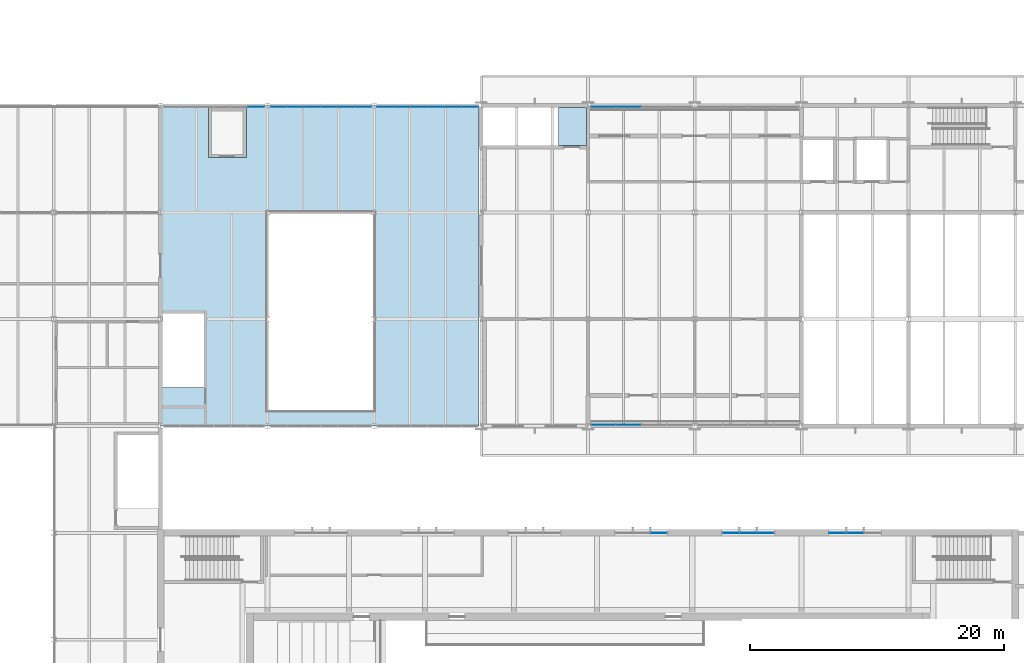
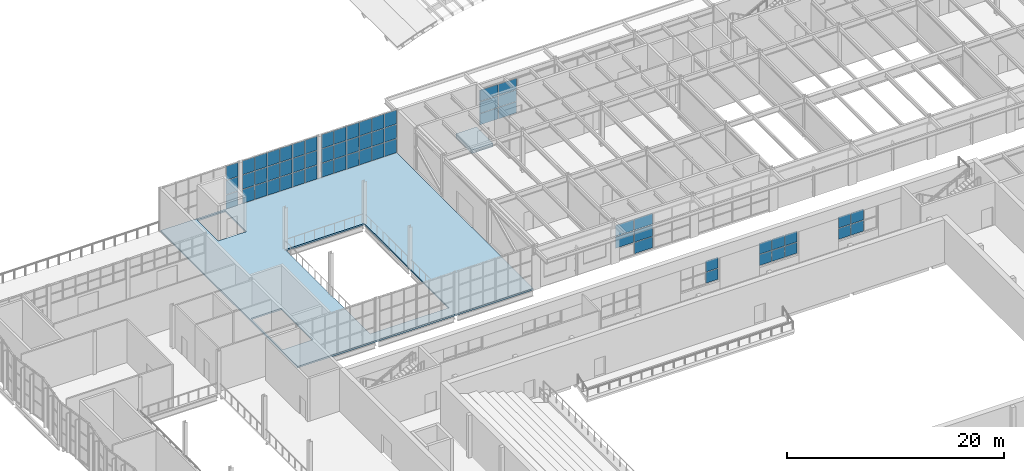
# One storey, part 63 of 116: 62 plates, 2 slabs, 8 elements without a shape of their own.
"""IFC4 building model written with IfcOpenShell, lengths in metres."""

from ifc_helpers import new_model, si_unit, direction, frame, origin, origin_2d, place, context, subcontext, project, spatial, polyline, rectangle, outline, extrude, material, layer, layer_set, type_object, element, aggregate, save


model = new_model("IFC4")

# Units and contexts
model_context = context("Model", 3, precision=1e-05, world=origin(), true_north=direction((0.0, 1.0)))
body_context = subcontext(model_context, "Body", "Model", "MODEL_VIEW")
ifc_project = project(units=[si_unit("LENGTHUNIT", "METRE"), si_unit("AREAUNIT", "SQUARE_METRE"), si_unit("VOLUMEUNIT", "CUBIC_METRE"), si_unit("PLANEANGLEUNIT", "RADIAN"), si_unit("MASSUNIT", "GRAM", prefix="KILO")], contexts=[model_context])

# Site, building, storey
site_placement = place(None, origin())
site = spatial("IfcSite", under=ifc_project, at=site_placement, CompositionType="ELEMENT")
building_placement = place(site_placement, origin())
building = spatial("IfcBuilding", under=site, at=building_placement, Name="Ljudholm Concert House", CompositionType="ELEMENT")
storey_placement = place(building_placement, frame((0.0, 0.0, 10.199951171875)))
storey = spatial("IfcBuildingStorey", under=building, at=storey_placement, Name="L02", CompositionType="ELEMENT", Elevation=10.199951171875)

# Slab
ifc_material_1 = material(Name="Concrete 5,000 psi", Category="concrete")
ifc_layer_1 = layer(ifc_material_1, 0.179931640625)
ifc_layer_set_1 = layer_set([ifc_layer_1], Name="Concrete 5,000 psi")
slab_type_1 = type_object("IfcSlabType", Name="COMPOSITE FLOOR SLAB 180", PredefinedType="FLOOR", material=ifc_layer_set_1)
slab_1_placement = place(storey_placement, frame((0.0, 0.0, -0.179931640625)))
element("IfcSlab", 1, at=slab_1_placement, inside=storey, type_object=slab_type_1, Name="Floor slab", PredefinedType="FLOOR", context=body_context, shape_type="SweptSolid", body=[
    extrude(outline(polyline([(29.199951171875, 104.800048828125), (54.25, 104.800048828125), (54.25, 130.0), (29.199951171875, 130.0), (29.199951171875, 104.800048828125)]), holes=[polyline([(46.0, 121.60009765625), (46.0, 106.0), (37.60009765625, 106.0), (37.60009765625, 121.60009765625), (46.0, 121.60009765625)]), polyline([(29.35009765625, 107.83056640625), (29.35009765625, 113.6298828125), (32.60009765625, 113.6298828125), (32.60009765625, 107.83056640625), (29.35009765625, 107.83056640625)]), polyline([(32.949951171875, 125.89990234375), (32.949951171875, 129.800048828125), (35.949951171875, 129.800048828125), (35.949951171875, 125.89990234375), (32.949951171875, 125.89990234375)])]), origin(), (0.0, 0.0, 1.0), 0.179931640625),
])

# Curtain wall, plates
ifc_material_2 = material(Name="Aluminium curtain wall with impact-rated laminated glass", Category="aluminium")
curtain_wall_type_1 = type_object("IfcCurtainWallType", Name="CURTAIN WALL 1400", PredefinedType="NOTDEFINED", material=ifc_material_2)
curtain_wall_1_placement = place(storey_placement, origin())
curtain_wall_1 = element("IfcCurtainWall", 2, at=curtain_wall_1_placement, inside=storey, type_object=curtain_wall_type_1, Name="Promenade curtain wall", PredefinedType="NOTDEFINED")
ifc_material_3 = material(Name="Impact-rated laminated glass", Category="glass")
ifc_layer_2 = layer(ifc_material_3, 0.028076171875)
ifc_layer_set_2 = layer_set([ifc_layer_2], Name="Impact-rated laminated glass")
plate_type_1 = type_object("IfcPlateType", Name="CURTAIN PANEL 28", PredefinedType="CURTAIN_PANEL", material=ifc_layer_set_2)
plate_1_placement = place(storey_placement, frame((68.364990234375, 96.39990234375, 0.9599609375), z_axis=(0.0, 0.0, 1.0), x_axis=(1.0, 0.0, 0.0)))
plate_1 = element("IfcPlate", 3, at=plate_1_placement, type_object=plate_type_1, Name="Curtain wall panel", PredefinedType="CURTAIN_PANEL", context=body_context, shape_type="SweptSolid", body=[
    extrude(rectangle(XDim=1.2900390625, YDim=0.028076171875, at=origin_2d()), origin(), (0.0, 0.0, 1.0), 1.2099609375),
])
plate_2_placement = place(storey_placement, frame((68.364990234375, 96.39990234375, 2.22998046875), z_axis=(0.0, 0.0, 1.0), x_axis=(1.0, 0.0, 0.0)))
plate_2 = element("IfcPlate", 4, at=plate_2_placement, type_object=plate_type_1, Name="Curtain wall panel", PredefinedType="CURTAIN_PANEL", context=body_context, shape_type="SweptSolid", body=[
    extrude(rectangle(XDim=1.2900390625, YDim=0.028076171875, at=origin_2d()), origin(), (0.0, 0.0, 1.0), 1.2099609375),
])
aggregate(curtain_wall_1, [plate_1, plate_2])

curtain_wall_2_placement = place(storey_placement, origin())
curtain_wall_2 = element("IfcCurtainWall", 5, at=curtain_wall_2_placement, inside=storey, type_object=curtain_wall_type_1, Name="Promenade curtain wall", PredefinedType="NOTDEFINED")
plate_3_placement = place(storey_placement, frame((74.034912109375, 96.39990234375, 0.9599609375), z_axis=(0.0, 0.0, 1.0), x_axis=(1.0, 0.0, 0.0)))
plate_3 = element("IfcPlate", 6, at=plate_3_placement, type_object=plate_type_1, Name="Curtain wall panel", PredefinedType="CURTAIN_PANEL", context=body_context, shape_type="SweptSolid", body=[
    extrude(rectangle(XDim=1.2900390625, YDim=0.028076171875, at=origin_2d()), origin(), (0.0, 0.0, 1.0), 1.2099609375),
])
plate_4_placement = place(storey_placement, frame((74.034912109375, 96.39990234375, 2.22998046875), z_axis=(0.0, 0.0, 1.0), x_axis=(1.0, 0.0, 0.0)))
plate_4 = element("IfcPlate", 7, at=plate_4_placement, type_object=plate_type_1, Name="Curtain wall panel", PredefinedType="CURTAIN_PANEL", context=body_context, shape_type="SweptSolid", body=[
    extrude(rectangle(XDim=1.2900390625, YDim=0.028076171875, at=origin_2d()), origin(), (0.0, 0.0, 1.0), 1.2099609375),
])
plate_5_placement = place(storey_placement, frame((75.39990234375, 96.39990234375, 0.9599609375), z_axis=(0.0, 0.0, 1.0), x_axis=(1.0, 0.0, 0.0)))
plate_5 = element("IfcPlate", 8, at=plate_5_placement, type_object=plate_type_1, Name="Curtain wall panel", PredefinedType="CURTAIN_PANEL", context=body_context, shape_type="SweptSolid", body=[
    extrude(rectangle(XDim=1.320068359375, YDim=0.028076171875, at=origin_2d()), origin(), (0.0, 0.0, 1.0), 1.2099609375),
])
plate_6_placement = place(storey_placement, frame((75.39990234375, 96.39990234375, 2.22998046875), z_axis=(0.0, 0.0, 1.0), x_axis=(1.0, 0.0, 0.0)))
plate_6 = element("IfcPlate", 9, at=plate_6_placement, type_object=plate_type_1, Name="Curtain wall panel", PredefinedType="CURTAIN_PANEL", context=body_context, shape_type="SweptSolid", body=[
    extrude(rectangle(XDim=1.320068359375, YDim=0.028076171875, at=origin_2d()), origin(), (0.0, 0.0, 1.0), 1.2099609375),
])
plate_7_placement = place(storey_placement, frame((76.764892578125, 96.39990234375, 0.9599609375), z_axis=(0.0, 0.0, 1.0), x_axis=(1.0, 0.0, 0.0)))
plate_7 = element("IfcPlate", 10, at=plate_7_placement, type_object=plate_type_1, Name="Curtain wall panel", PredefinedType="CURTAIN_PANEL", context=body_context, shape_type="SweptSolid", body=[
    extrude(rectangle(XDim=1.2900390625, YDim=0.028076171875, at=origin_2d()), origin(), (0.0, 0.0, 1.0), 1.2099609375),
])
plate_8_placement = place(storey_placement, frame((76.764892578125, 96.39990234375, 2.22998046875), z_axis=(0.0, 0.0, 1.0), x_axis=(1.0, 0.0, 0.0)))
plate_8 = element("IfcPlate", 11, at=plate_8_placement, type_object=plate_type_1, Name="Curtain wall panel", PredefinedType="CURTAIN_PANEL", context=body_context, shape_type="SweptSolid", body=[
    extrude(rectangle(XDim=1.2900390625, YDim=0.028076171875, at=origin_2d()), origin(), (0.0, 0.0, 1.0), 1.2099609375),
])
aggregate(curtain_wall_2, [plate_3, plate_4, plate_5, plate_6, plate_7, plate_8])

curtain_wall_3_placement = place(storey_placement, origin())
curtain_wall_3 = element("IfcCurtainWall", 12, at=curtain_wall_3_placement, inside=storey, type_object=curtain_wall_type_1, Name="Promenade curtain wall", PredefinedType="NOTDEFINED")
plate_9_placement = place(storey_placement, frame((82.43505859375, 96.39990234375, 0.9599609375), z_axis=(0.0, 0.0, 1.0), x_axis=(1.0, 0.0, 0.0)))
plate_9 = element("IfcPlate", 13, at=plate_9_placement, type_object=plate_type_1, Name="Curtain wall panel", PredefinedType="CURTAIN_PANEL", context=body_context, shape_type="SweptSolid", body=[
    extrude(rectangle(XDim=1.2900390625, YDim=0.028076171875, at=origin_2d()), origin(), (0.0, 0.0, 1.0), 1.2099609375),
])
plate_10_placement = place(storey_placement, frame((82.43505859375, 96.39990234375, 2.22998046875), z_axis=(0.0, 0.0, 1.0), x_axis=(1.0, 0.0, 0.0)))
plate_10 = element("IfcPlate", 14, at=plate_10_placement, type_object=plate_type_1, Name="Curtain wall panel", PredefinedType="CURTAIN_PANEL", context=body_context, shape_type="SweptSolid", body=[
    extrude(rectangle(XDim=1.2900390625, YDim=0.028076171875, at=origin_2d()), origin(), (0.0, 0.0, 1.0), 1.2099609375),
])
plate_11_placement = place(storey_placement, frame((83.800048828125, 96.39990234375, 0.9599609375), z_axis=(0.0, 0.0, 1.0), x_axis=(1.0, 0.0, 0.0)))
plate_11 = element("IfcPlate", 15, at=plate_11_placement, type_object=plate_type_1, Name="Curtain wall panel", PredefinedType="CURTAIN_PANEL", context=body_context, shape_type="SweptSolid", body=[
    extrude(rectangle(XDim=1.320068359375, YDim=0.028076171875, at=origin_2d()), origin(), (0.0, 0.0, 1.0), 1.2099609375),
])
plate_12_placement = place(storey_placement, frame((83.800048828125, 96.39990234375, 2.22998046875), z_axis=(0.0, 0.0, 1.0), x_axis=(1.0, 0.0, 0.0)))
plate_12 = element("IfcPlate", 16, at=plate_12_placement, type_object=plate_type_1, Name="Curtain wall panel", PredefinedType="CURTAIN_PANEL", context=body_context, shape_type="SweptSolid", body=[
    extrude(rectangle(XDim=1.320068359375, YDim=0.028076171875, at=origin_2d()), origin(), (0.0, 0.0, 1.0), 1.2099609375),
])
aggregate(curtain_wall_3, [plate_9, plate_10, plate_11, plate_12])

curtain_wall_4_placement = place(storey_placement, origin())
curtain_wall_4 = element("IfcCurtainWall", 17, at=curtain_wall_4_placement, inside=storey, type_object=curtain_wall_type_1, Name="North curtain wall", PredefinedType="NOTDEFINED")
plate_13_placement = place(storey_placement, frame((36.7265625, 129.89990234375, 0.06005859375), z_axis=(0.0, 0.0, 1.0), x_axis=(1.0, 0.0, 0.0)))
plate_13 = element("IfcPlate", 18, at=plate_13_placement, type_object=plate_type_1, Name="Curtain wall panel", PredefinedType="CURTAIN_PANEL", context=body_context, shape_type="SweptSolid", body=[
    extrude(rectangle(XDim=1.24658203125, YDim=0.028076171875, at=origin_2d()), origin(), (0.0, 0.0, 1.0), 1.547119140625),
])
plate_14_placement = place(storey_placement, frame((36.7265625, 129.89990234375, 1.6669921875), z_axis=(0.0, 0.0, 1.0), x_axis=(1.0, 0.0, 0.0)))
plate_14 = element("IfcPlate", 19, at=plate_14_placement, type_object=plate_type_1, Name="Curtain wall panel", PredefinedType="CURTAIN_PANEL", context=body_context, shape_type="SweptSolid", body=[
    extrude(rectangle(XDim=1.24658203125, YDim=0.028076171875, at=origin_2d()), origin(), (0.0, 0.0, 1.0), 1.5771484375),
])
plate_15_placement = place(storey_placement, frame((36.7265625, 129.89990234375, 3.30419921875), z_axis=(0.0, 0.0, 1.0), x_axis=(1.0, 0.0, 0.0)))
plate_15 = element("IfcPlate", 20, at=plate_15_placement, type_object=plate_type_1, Name="Curtain wall panel", PredefinedType="CURTAIN_PANEL", context=body_context, shape_type="SweptSolid", body=[
    extrude(rectangle(XDim=1.24658203125, YDim=0.028076171875, at=origin_2d()), origin(), (0.0, 0.0, 1.0), 1.547119140625),
])
aggregate(curtain_wall_4, [plate_13, plate_14, plate_15])

curtain_wall_5_placement = place(storey_placement, origin())
curtain_wall_5 = element("IfcCurtainWall", 21, at=curtain_wall_5_placement, inside=storey, type_object=curtain_wall_type_1, Name="North curtain wall", PredefinedType="NOTDEFINED")
plate_16_placement = place(storey_placement, frame((38.473388671875, 129.89990234375, 0.06005859375), z_axis=(0.0, 0.0, 1.0), x_axis=(1.0, 0.0, 0.0)))
plate_16 = element("IfcPlate", 22, at=plate_16_placement, type_object=plate_type_1, Name="Curtain wall panel", PredefinedType="CURTAIN_PANEL", context=body_context, shape_type="SweptSolid", body=[
    extrude(rectangle(XDim=1.24658203125, YDim=0.028076171875, at=origin_2d()), origin(), (0.0, 0.0, 1.0), 1.547119140625),
])
plate_17_placement = place(storey_placement, frame((38.473388671875, 129.89990234375, 1.6669921875), z_axis=(0.0, 0.0, 1.0), x_axis=(1.0, 0.0, 0.0)))
plate_17 = element("IfcPlate", 23, at=plate_17_placement, type_object=plate_type_1, Name="Curtain wall panel", PredefinedType="CURTAIN_PANEL", context=body_context, shape_type="SweptSolid", body=[
    extrude(rectangle(XDim=1.24658203125, YDim=0.028076171875, at=origin_2d()), origin(), (0.0, 0.0, 1.0), 1.5771484375),
])
plate_18_placement = place(storey_placement, frame((38.473388671875, 129.89990234375, 3.30419921875), z_axis=(0.0, 0.0, 1.0), x_axis=(1.0, 0.0, 0.0)))
plate_18 = element("IfcPlate", 24, at=plate_18_placement, type_object=plate_type_1, Name="Curtain wall panel", PredefinedType="CURTAIN_PANEL", context=body_context, shape_type="SweptSolid", body=[
    extrude(rectangle(XDim=1.24658203125, YDim=0.028076171875, at=origin_2d()), origin(), (0.0, 0.0, 1.0), 1.547119140625),
])
plate_19_placement = place(storey_placement, frame((39.794921875, 129.89990234375, 0.06005859375), z_axis=(0.0, 0.0, 1.0), x_axis=(1.0, 0.0, 0.0)))
plate_19 = element("IfcPlate", 25, at=plate_19_placement, type_object=plate_type_1, Name="Curtain wall panel", PredefinedType="CURTAIN_PANEL", context=body_context, shape_type="SweptSolid", body=[
    extrude(rectangle(XDim=1.276611328125, YDim=0.028076171875, at=origin_2d()), origin(), (0.0, 0.0, 1.0), 1.547119140625),
])
plate_20_placement = place(storey_placement, frame((39.794921875, 129.89990234375, 1.6669921875), z_axis=(0.0, 0.0, 1.0), x_axis=(1.0, 0.0, 0.0)))
plate_20 = element("IfcPlate", 26, at=plate_20_placement, type_object=plate_type_1, Name="Curtain wall panel", PredefinedType="CURTAIN_PANEL", context=body_context, shape_type="SweptSolid", body=[
    extrude(rectangle(XDim=1.276611328125, YDim=0.028076171875, at=origin_2d()), origin(), (0.0, 0.0, 1.0), 1.5771484375),
])
plate_21_placement = place(storey_placement, frame((39.794921875, 129.89990234375, 3.30419921875), z_axis=(0.0, 0.0, 1.0), x_axis=(1.0, 0.0, 0.0)))
plate_21 = element("IfcPlate", 27, at=plate_21_placement, type_object=plate_type_1, Name="Curtain wall panel", PredefinedType="CURTAIN_PANEL", context=body_context, shape_type="SweptSolid", body=[
    extrude(rectangle(XDim=1.276611328125, YDim=0.028076171875, at=origin_2d()), origin(), (0.0, 0.0, 1.0), 1.547119140625),
])
plate_22_placement = place(storey_placement, frame((41.131591796875, 129.89990234375, 0.06005859375), z_axis=(0.0, 0.0, 1.0), x_axis=(1.0, 0.0, 0.0)))
plate_22 = element("IfcPlate", 28, at=plate_22_placement, type_object=plate_type_1, Name="Curtain wall panel", PredefinedType="CURTAIN_PANEL", context=body_context, shape_type="SweptSolid", body=[
    extrude(rectangle(XDim=1.276611328125, YDim=0.028076171875, at=origin_2d()), origin(), (0.0, 0.0, 1.0), 1.547119140625),
])
plate_23_placement = place(storey_placement, frame((41.131591796875, 129.89990234375, 1.6669921875), z_axis=(0.0, 0.0, 1.0), x_axis=(1.0, 0.0, 0.0)))
plate_23 = element("IfcPlate", 29, at=plate_23_placement, type_object=plate_type_1, Name="Curtain wall panel", PredefinedType="CURTAIN_PANEL", context=body_context, shape_type="SweptSolid", body=[
    extrude(rectangle(XDim=1.276611328125, YDim=0.028076171875, at=origin_2d()), origin(), (0.0, 0.0, 1.0), 1.5771484375),
])
plate_24_placement = place(storey_placement, frame((41.131591796875, 129.89990234375, 3.30419921875), z_axis=(0.0, 0.0, 1.0), x_axis=(1.0, 0.0, 0.0)))
plate_24 = element("IfcPlate", 30, at=plate_24_placement, type_object=plate_type_1, Name="Curtain wall panel", PredefinedType="CURTAIN_PANEL", context=body_context, shape_type="SweptSolid", body=[
    extrude(rectangle(XDim=1.276611328125, YDim=0.028076171875, at=origin_2d()), origin(), (0.0, 0.0, 1.0), 1.547119140625),
])
plate_25_placement = place(storey_placement, frame((42.46826171875, 129.89990234375, 0.06005859375), z_axis=(0.0, 0.0, 1.0), x_axis=(1.0, 0.0, 0.0)))
plate_25 = element("IfcPlate", 31, at=plate_25_placement, type_object=plate_type_1, Name="Curtain wall panel", PredefinedType="CURTAIN_PANEL", context=body_context, shape_type="SweptSolid", body=[
    extrude(rectangle(XDim=1.276611328125, YDim=0.028076171875, at=origin_2d()), origin(), (0.0, 0.0, 1.0), 1.547119140625),
])
plate_26_placement = place(storey_placement, frame((42.46826171875, 129.89990234375, 1.6669921875), z_axis=(0.0, 0.0, 1.0), x_axis=(1.0, 0.0, 0.0)))
plate_26 = element("IfcPlate", 32, at=plate_26_placement, type_object=plate_type_1, Name="Curtain wall panel", PredefinedType="CURTAIN_PANEL", context=body_context, shape_type="SweptSolid", body=[
    extrude(rectangle(XDim=1.276611328125, YDim=0.028076171875, at=origin_2d()), origin(), (0.0, 0.0, 1.0), 1.5771484375),
])
plate_27_placement = place(storey_placement, frame((42.46826171875, 129.89990234375, 3.30419921875), z_axis=(0.0, 0.0, 1.0), x_axis=(1.0, 0.0, 0.0)))
plate_27 = element("IfcPlate", 33, at=plate_27_placement, type_object=plate_type_1, Name="Curtain wall panel", PredefinedType="CURTAIN_PANEL", context=body_context, shape_type="SweptSolid", body=[
    extrude(rectangle(XDim=1.276611328125, YDim=0.028076171875, at=origin_2d()), origin(), (0.0, 0.0, 1.0), 1.547119140625),
])
plate_28_placement = place(storey_placement, frame((43.804931640625, 129.89990234375, 0.06005859375), z_axis=(0.0, 0.0, 1.0), x_axis=(1.0, 0.0, 0.0)))
plate_28 = element("IfcPlate", 34, at=plate_28_placement, type_object=plate_type_1, Name="Curtain wall panel", PredefinedType="CURTAIN_PANEL", context=body_context, shape_type="SweptSolid", body=[
    extrude(rectangle(XDim=1.276611328125, YDim=0.028076171875, at=origin_2d()), origin(), (0.0, 0.0, 1.0), 1.547119140625),
])
plate_29_placement = place(storey_placement, frame((43.804931640625, 129.89990234375, 1.6669921875), z_axis=(0.0, 0.0, 1.0), x_axis=(1.0, 0.0, 0.0)))
plate_29 = element("IfcPlate", 35, at=plate_29_placement, type_object=plate_type_1, Name="Curtain wall panel", PredefinedType="CURTAIN_PANEL", context=body_context, shape_type="SweptSolid", body=[
    extrude(rectangle(XDim=1.276611328125, YDim=0.028076171875, at=origin_2d()), origin(), (0.0, 0.0, 1.0), 1.5771484375),
])
plate_30_placement = place(storey_placement, frame((43.804931640625, 129.89990234375, 3.30419921875), z_axis=(0.0, 0.0, 1.0), x_axis=(1.0, 0.0, 0.0)))
plate_30 = element("IfcPlate", 36, at=plate_30_placement, type_object=plate_type_1, Name="Curtain wall panel", PredefinedType="CURTAIN_PANEL", context=body_context, shape_type="SweptSolid", body=[
    extrude(rectangle(XDim=1.276611328125, YDim=0.028076171875, at=origin_2d()), origin(), (0.0, 0.0, 1.0), 1.547119140625),
])
plate_31_placement = place(storey_placement, frame((45.126708984375, 129.89990234375, 0.06005859375), z_axis=(0.0, 0.0, 1.0), x_axis=(1.0, 0.0, 0.0)))
plate_31 = element("IfcPlate", 37, at=plate_31_placement, type_object=plate_type_1, Name="Curtain wall panel", PredefinedType="CURTAIN_PANEL", context=body_context, shape_type="SweptSolid", body=[
    extrude(rectangle(XDim=1.24658203125, YDim=0.028076171875, at=origin_2d()), origin(), (0.0, 0.0, 1.0), 1.547119140625),
])
plate_32_placement = place(storey_placement, frame((45.126708984375, 129.89990234375, 1.6669921875), z_axis=(0.0, 0.0, 1.0), x_axis=(1.0, 0.0, 0.0)))
plate_32 = element("IfcPlate", 38, at=plate_32_placement, type_object=plate_type_1, Name="Curtain wall panel", PredefinedType="CURTAIN_PANEL", context=body_context, shape_type="SweptSolid", body=[
    extrude(rectangle(XDim=1.24658203125, YDim=0.028076171875, at=origin_2d()), origin(), (0.0, 0.0, 1.0), 1.5771484375),
])
plate_33_placement = place(storey_placement, frame((45.126708984375, 129.89990234375, 3.30419921875), z_axis=(0.0, 0.0, 1.0), x_axis=(1.0, 0.0, 0.0)))
plate_33 = element("IfcPlate", 39, at=plate_33_placement, type_object=plate_type_1, Name="Curtain wall panel", PredefinedType="CURTAIN_PANEL", context=body_context, shape_type="SweptSolid", body=[
    extrude(rectangle(XDim=1.24658203125, YDim=0.028076171875, at=origin_2d()), origin(), (0.0, 0.0, 1.0), 1.547119140625),
])
aggregate(curtain_wall_5, [plate_16, plate_17, plate_18, plate_19, plate_20, plate_21, plate_22, plate_23, plate_24, plate_25, plate_26, plate_27, plate_28, plate_29, plate_30, plate_31, plate_32, plate_33])

curtain_wall_6_placement = place(storey_placement, origin())
curtain_wall_6 = element("IfcCurtainWall", 40, at=curtain_wall_6_placement, inside=storey, type_object=curtain_wall_type_1, Name="North curtain wall", PredefinedType="NOTDEFINED")
plate_34_placement = place(storey_placement, frame((46.876708984375, 129.89990234375, 0.06005859375), z_axis=(0.0, 0.0, 1.0), x_axis=(1.0, 0.0, 0.0)))
plate_34 = element("IfcPlate", 41, at=plate_34_placement, type_object=plate_type_1, Name="Curtain wall panel", PredefinedType="CURTAIN_PANEL", context=body_context, shape_type="SweptSolid", body=[
    extrude(rectangle(XDim=1.25341796875, YDim=0.028076171875, at=origin_2d()), origin(), (0.0, 0.0, 1.0), 1.547119140625),
])
plate_35_placement = place(storey_placement, frame((46.876708984375, 129.89990234375, 1.6669921875), z_axis=(0.0, 0.0, 1.0), x_axis=(1.0, 0.0, 0.0)))
plate_35 = element("IfcPlate", 42, at=plate_35_placement, type_object=plate_type_1, Name="Curtain wall panel", PredefinedType="CURTAIN_PANEL", context=body_context, shape_type="SweptSolid", body=[
    extrude(rectangle(XDim=1.25341796875, YDim=0.028076171875, at=origin_2d()), origin(), (0.0, 0.0, 1.0), 1.5771484375),
])
plate_36_placement = place(storey_placement, frame((46.876708984375, 129.89990234375, 3.30419921875), z_axis=(0.0, 0.0, 1.0), x_axis=(1.0, 0.0, 0.0)))
plate_36 = element("IfcPlate", 43, at=plate_36_placement, type_object=plate_type_1, Name="Curtain wall panel", PredefinedType="CURTAIN_PANEL", context=body_context, shape_type="SweptSolid", body=[
    extrude(rectangle(XDim=1.25341796875, YDim=0.028076171875, at=origin_2d()), origin(), (0.0, 0.0, 1.0), 1.547119140625),
])
plate_37_placement = place(storey_placement, frame((48.205078125, 129.89990234375, 0.06005859375), z_axis=(0.0, 0.0, 1.0), x_axis=(1.0, 0.0, 0.0)))
plate_37 = element("IfcPlate", 44, at=plate_37_placement, type_object=plate_type_1, Name="Curtain wall panel", PredefinedType="CURTAIN_PANEL", context=body_context, shape_type="SweptSolid", body=[
    extrude(rectangle(XDim=1.283447265625, YDim=0.028076171875, at=origin_2d()), origin(), (0.0, 0.0, 1.0), 1.547119140625),
])
plate_38_placement = place(storey_placement, frame((48.205078125, 129.89990234375, 1.6669921875), z_axis=(0.0, 0.0, 1.0), x_axis=(1.0, 0.0, 0.0)))
plate_38 = element("IfcPlate", 45, at=plate_38_placement, type_object=plate_type_1, Name="Curtain wall panel", PredefinedType="CURTAIN_PANEL", context=body_context, shape_type="SweptSolid", body=[
    extrude(rectangle(XDim=1.283447265625, YDim=0.028076171875, at=origin_2d()), origin(), (0.0, 0.0, 1.0), 1.5771484375),
])
plate_39_placement = place(storey_placement, frame((48.205078125, 129.89990234375, 3.30419921875), z_axis=(0.0, 0.0, 1.0), x_axis=(1.0, 0.0, 0.0)))
plate_39 = element("IfcPlate", 46, at=plate_39_placement, type_object=plate_type_1, Name="Curtain wall panel", PredefinedType="CURTAIN_PANEL", context=body_context, shape_type="SweptSolid", body=[
    extrude(rectangle(XDim=1.283447265625, YDim=0.028076171875, at=origin_2d()), origin(), (0.0, 0.0, 1.0), 1.547119140625),
])
plate_40_placement = place(storey_placement, frame((49.54833984375, 129.89990234375, 0.06005859375), z_axis=(0.0, 0.0, 1.0), x_axis=(1.0, 0.0, 0.0)))
plate_40 = element("IfcPlate", 47, at=plate_40_placement, type_object=plate_type_1, Name="Curtain wall panel", PredefinedType="CURTAIN_PANEL", context=body_context, shape_type="SweptSolid", body=[
    extrude(rectangle(XDim=1.283447265625, YDim=0.028076171875, at=origin_2d()), origin(), (0.0, 0.0, 1.0), 1.547119140625),
])
plate_41_placement = place(storey_placement, frame((49.54833984375, 129.89990234375, 1.6669921875), z_axis=(0.0, 0.0, 1.0), x_axis=(1.0, 0.0, 0.0)))
plate_41 = element("IfcPlate", 48, at=plate_41_placement, type_object=plate_type_1, Name="Curtain wall panel", PredefinedType="CURTAIN_PANEL", context=body_context, shape_type="SweptSolid", body=[
    extrude(rectangle(XDim=1.283447265625, YDim=0.028076171875, at=origin_2d()), origin(), (0.0, 0.0, 1.0), 1.5771484375),
])
plate_42_placement = place(storey_placement, frame((49.54833984375, 129.89990234375, 3.30419921875), z_axis=(0.0, 0.0, 1.0), x_axis=(1.0, 0.0, 0.0)))
plate_42 = element("IfcPlate", 49, at=plate_42_placement, type_object=plate_type_1, Name="Curtain wall panel", PredefinedType="CURTAIN_PANEL", context=body_context, shape_type="SweptSolid", body=[
    extrude(rectangle(XDim=1.283447265625, YDim=0.028076171875, at=origin_2d()), origin(), (0.0, 0.0, 1.0), 1.547119140625),
])
plate_43_placement = place(storey_placement, frame((50.8916015625, 129.89990234375, 0.06005859375), z_axis=(0.0, 0.0, 1.0), x_axis=(1.0, 0.0, 0.0)))
plate_43 = element("IfcPlate", 50, at=plate_43_placement, type_object=plate_type_1, Name="Curtain wall panel", PredefinedType="CURTAIN_PANEL", context=body_context, shape_type="SweptSolid", body=[
    extrude(rectangle(XDim=1.283447265625, YDim=0.028076171875, at=origin_2d()), origin(), (0.0, 0.0, 1.0), 1.547119140625),
])
plate_44_placement = place(storey_placement, frame((50.8916015625, 129.89990234375, 1.6669921875), z_axis=(0.0, 0.0, 1.0), x_axis=(1.0, 0.0, 0.0)))
plate_44 = element("IfcPlate", 51, at=plate_44_placement, type_object=plate_type_1, Name="Curtain wall panel", PredefinedType="CURTAIN_PANEL", context=body_context, shape_type="SweptSolid", body=[
    extrude(rectangle(XDim=1.283447265625, YDim=0.028076171875, at=origin_2d()), origin(), (0.0, 0.0, 1.0), 1.5771484375),
])
plate_45_placement = place(storey_placement, frame((50.8916015625, 129.89990234375, 3.30419921875), z_axis=(0.0, 0.0, 1.0), x_axis=(1.0, 0.0, 0.0)))
plate_45 = element("IfcPlate", 52, at=plate_45_placement, type_object=plate_type_1, Name="Curtain wall panel", PredefinedType="CURTAIN_PANEL", context=body_context, shape_type="SweptSolid", body=[
    extrude(rectangle(XDim=1.283447265625, YDim=0.028076171875, at=origin_2d()), origin(), (0.0, 0.0, 1.0), 1.547119140625),
])
plate_46_placement = place(storey_placement, frame((52.235107421875, 129.89990234375, 0.06005859375), z_axis=(0.0, 0.0, 1.0), x_axis=(1.0, 0.0, 0.0)))
plate_46 = element("IfcPlate", 53, at=plate_46_placement, type_object=plate_type_1, Name="Curtain wall panel", PredefinedType="CURTAIN_PANEL", context=body_context, shape_type="SweptSolid", body=[
    extrude(rectangle(XDim=1.283447265625, YDim=0.028076171875, at=origin_2d()), origin(), (0.0, 0.0, 1.0), 1.547119140625),
])
plate_47_placement = place(storey_placement, frame((52.235107421875, 129.89990234375, 1.6669921875), z_axis=(0.0, 0.0, 1.0), x_axis=(1.0, 0.0, 0.0)))
plate_47 = element("IfcPlate", 54, at=plate_47_placement, type_object=plate_type_1, Name="Curtain wall panel", PredefinedType="CURTAIN_PANEL", context=body_context, shape_type="SweptSolid", body=[
    extrude(rectangle(XDim=1.283447265625, YDim=0.028076171875, at=origin_2d()), origin(), (0.0, 0.0, 1.0), 1.5771484375),
])
plate_48_placement = place(storey_placement, frame((52.235107421875, 129.89990234375, 3.30419921875), z_axis=(0.0, 0.0, 1.0), x_axis=(1.0, 0.0, 0.0)))
plate_48 = element("IfcPlate", 55, at=plate_48_placement, type_object=plate_type_1, Name="Curtain wall panel", PredefinedType="CURTAIN_PANEL", context=body_context, shape_type="SweptSolid", body=[
    extrude(rectangle(XDim=1.283447265625, YDim=0.028076171875, at=origin_2d()), origin(), (0.0, 0.0, 1.0), 1.547119140625),
])
plate_49_placement = place(storey_placement, frame((53.563232421875, 129.89990234375, 0.06005859375), z_axis=(0.0, 0.0, 1.0), x_axis=(1.0, 0.0, 0.0)))
plate_49 = element("IfcPlate", 56, at=plate_49_placement, type_object=plate_type_1, Name="Curtain wall panel", PredefinedType="CURTAIN_PANEL", context=body_context, shape_type="SweptSolid", body=[
    extrude(rectangle(XDim=1.25341796875, YDim=0.028076171875, at=origin_2d()), origin(), (0.0, 0.0, 1.0), 1.547119140625),
])
plate_50_placement = place(storey_placement, frame((53.563232421875, 129.89990234375, 1.6669921875), z_axis=(0.0, 0.0, 1.0), x_axis=(1.0, 0.0, 0.0)))
plate_50 = element("IfcPlate", 57, at=plate_50_placement, type_object=plate_type_1, Name="Curtain wall panel", PredefinedType="CURTAIN_PANEL", context=body_context, shape_type="SweptSolid", body=[
    extrude(rectangle(XDim=1.25341796875, YDim=0.028076171875, at=origin_2d()), origin(), (0.0, 0.0, 1.0), 1.5771484375),
])
plate_51_placement = place(storey_placement, frame((53.563232421875, 129.89990234375, 3.30419921875), z_axis=(0.0, 0.0, 1.0), x_axis=(1.0, 0.0, 0.0)))
plate_51 = element("IfcPlate", 58, at=plate_51_placement, type_object=plate_type_1, Name="Curtain wall panel", PredefinedType="CURTAIN_PANEL", context=body_context, shape_type="SweptSolid", body=[
    extrude(rectangle(XDim=1.25341796875, YDim=0.028076171875, at=origin_2d()), origin(), (0.0, 0.0, 1.0), 1.547119140625),
])
aggregate(curtain_wall_6, [plate_34, plate_35, plate_36, plate_37, plate_38, plate_39, plate_40, plate_41, plate_42, plate_43, plate_44, plate_45, plate_46, plate_47, plate_48, plate_49, plate_50, plate_51])

ifc_material_4 = material(Name="Aluminium curtain wall with fixed aluminium storm louvre blades, timber-grain finish", Category="aluminium")
curtain_wall_type_2 = type_object("IfcCurtainWallType", Name="CURTAIN WALL 2000", PredefinedType="NOTDEFINED", material=ifc_material_4)
curtain_wall_7_placement = place(storey_placement, origin())
curtain_wall_7 = element("IfcCurtainWall", 59, at=curtain_wall_7_placement, inside=storey, type_object=curtain_wall_type_2, Name="Storm louvre screen", PredefinedType="NOTDEFINED")
ifc_material_5 = material(Name="Fixed aluminium storm louvre blades, timber-grain finish", Category="aluminium")
ifc_layer_3 = layer(ifc_material_5, 0.030029296875)
ifc_layer_set_3 = layer_set([ifc_layer_3], Name="Fixed aluminium storm louvre blades, timber-grain finish")
plate_type_2 = type_object("IfcPlateType", Name="CURTAIN PANEL 30", PredefinedType="CURTAIN_PANEL", material=ifc_layer_set_3)
plate_52_placement = place(storey_placement, frame((64.007568359375, 104.89990234375, 1.365966796875), z_axis=(0.0, 0.0, 1.0), x_axis=(1.0, 0.0, 0.0)))
plate_52 = element("IfcPlate", 60, at=plate_52_placement, type_object=plate_type_2, Name="Curtain wall panel", PredefinedType="CURTAIN_PANEL", context=body_context, shape_type="SweptSolid", body=[
    extrude(rectangle(XDim=1.9150390625, YDim=0.030029296875, at=origin_2d()), origin(), (0.0, 0.0, 1.0), 1.27587890625),
])
plate_53_placement = place(storey_placement, frame((64.007568359375, 104.89990234375, 2.7021484375), z_axis=(0.0, 0.0, 1.0), x_axis=(1.0, 0.0, 0.0)))
plate_53 = element("IfcPlate", 61, at=plate_53_placement, type_object=plate_type_2, Name="Curtain wall panel", PredefinedType="CURTAIN_PANEL", context=body_context, shape_type="SweptSolid", body=[
    extrude(rectangle(XDim=1.9150390625, YDim=0.030029296875, at=origin_2d()), origin(), (0.0, 0.0, 1.0), 1.245849609375),
])
plate_54_placement = place(storey_placement, frame((65.99755859375, 104.89990234375, 0.06005859375), z_axis=(0.0, 0.0, 1.0), x_axis=(1.0, 0.0, 0.0)))
plate_54 = element("IfcPlate", 62, at=plate_54_placement, type_object=plate_type_2, Name="Curtain wall panel", PredefinedType="CURTAIN_PANEL", context=body_context, shape_type="SweptSolid", body=[
    extrude(rectangle(XDim=1.945068359375, YDim=0.030029296875, at=origin_2d()), origin(), (0.0, 0.0, 1.0), 1.245849609375),
])
plate_55_placement = place(storey_placement, frame((65.99755859375, 104.89990234375, 1.365966796875), z_axis=(0.0, 0.0, 1.0), x_axis=(1.0, 0.0, 0.0)))
plate_55 = element("IfcPlate", 63, at=plate_55_placement, type_object=plate_type_2, Name="Curtain wall panel", PredefinedType="CURTAIN_PANEL", context=body_context, shape_type="SweptSolid", body=[
    extrude(rectangle(XDim=1.945068359375, YDim=0.030029296875, at=origin_2d()), origin(), (0.0, 0.0, 1.0), 1.27587890625),
])
plate_56_placement = place(storey_placement, frame((65.99755859375, 104.89990234375, 2.7021484375), z_axis=(0.0, 0.0, 1.0), x_axis=(1.0, 0.0, 0.0)))
plate_56 = element("IfcPlate", 64, at=plate_56_placement, type_object=plate_type_2, Name="Curtain wall panel", PredefinedType="CURTAIN_PANEL", context=body_context, shape_type="SweptSolid", body=[
    extrude(rectangle(XDim=1.945068359375, YDim=0.030029296875, at=origin_2d()), origin(), (0.0, 0.0, 1.0), 1.245849609375),
])
aggregate(curtain_wall_7, [plate_52, plate_53, plate_54, plate_55, plate_56])

curtain_wall_8_placement = place(storey_placement, origin())
curtain_wall_8 = element("IfcCurtainWall", 65, at=curtain_wall_8_placement, inside=storey, type_object=curtain_wall_type_2, Name="Storm louvre screen", PredefinedType="NOTDEFINED")
plate_57_placement = place(storey_placement, frame((64.007568359375, 129.89990234375, 0.06005859375), z_axis=(0.0, 0.0, 1.0), x_axis=(1.0, 0.0, 0.0)))
plate_57 = element("IfcPlate", 66, at=plate_57_placement, type_object=plate_type_2, Name="Curtain wall panel", PredefinedType="CURTAIN_PANEL", context=body_context, shape_type="SweptSolid", body=[
    extrude(rectangle(XDim=1.9150390625, YDim=0.030029296875, at=origin_2d()), origin(), (0.0, 0.0, 1.0), 1.245849609375),
])
plate_58_placement = place(storey_placement, frame((64.007568359375, 129.89990234375, 1.365966796875), z_axis=(0.0, 0.0, 1.0), x_axis=(1.0, 0.0, 0.0)))
plate_58 = element("IfcPlate", 67, at=plate_58_placement, type_object=plate_type_2, Name="Curtain wall panel", PredefinedType="CURTAIN_PANEL", context=body_context, shape_type="SweptSolid", body=[
    extrude(rectangle(XDim=1.9150390625, YDim=0.030029296875, at=origin_2d()), origin(), (0.0, 0.0, 1.0), 1.27587890625),
])
plate_59_placement = place(storey_placement, frame((64.007568359375, 129.89990234375, 2.7021484375), z_axis=(0.0, 0.0, 1.0), x_axis=(1.0, 0.0, 0.0)))
plate_59 = element("IfcPlate", 68, at=plate_59_placement, type_object=plate_type_2, Name="Curtain wall panel", PredefinedType="CURTAIN_PANEL", context=body_context, shape_type="SweptSolid", body=[
    extrude(rectangle(XDim=1.9150390625, YDim=0.030029296875, at=origin_2d()), origin(), (0.0, 0.0, 1.0), 1.245849609375),
])
plate_60_placement = place(storey_placement, frame((65.99755859375, 129.89990234375, 0.06005859375), z_axis=(0.0, 0.0, 1.0), x_axis=(1.0, 0.0, 0.0)))
plate_60 = element("IfcPlate", 69, at=plate_60_placement, type_object=plate_type_2, Name="Curtain wall panel", PredefinedType="CURTAIN_PANEL", context=body_context, shape_type="SweptSolid", body=[
    extrude(rectangle(XDim=1.945068359375, YDim=0.030029296875, at=origin_2d()), origin(), (0.0, 0.0, 1.0), 1.245849609375),
])
plate_61_placement = place(storey_placement, frame((65.99755859375, 129.89990234375, 1.365966796875), z_axis=(0.0, 0.0, 1.0), x_axis=(1.0, 0.0, 0.0)))
plate_61 = element("IfcPlate", 70, at=plate_61_placement, type_object=plate_type_2, Name="Curtain wall panel", PredefinedType="CURTAIN_PANEL", context=body_context, shape_type="SweptSolid", body=[
    extrude(rectangle(XDim=1.945068359375, YDim=0.030029296875, at=origin_2d()), origin(), (0.0, 0.0, 1.0), 1.27587890625),
])
plate_62_placement = place(storey_placement, frame((65.99755859375, 129.89990234375, 2.7021484375), z_axis=(0.0, 0.0, 1.0), x_axis=(1.0, 0.0, 0.0)))
plate_62 = element("IfcPlate", 71, at=plate_62_placement, type_object=plate_type_2, Name="Curtain wall panel", PredefinedType="CURTAIN_PANEL", context=body_context, shape_type="SweptSolid", body=[
    extrude(rectangle(XDim=1.945068359375, YDim=0.030029296875, at=origin_2d()), origin(), (0.0, 0.0, 1.0), 1.245849609375),
])
aggregate(curtain_wall_8, [plate_57, plate_58, plate_59, plate_60, plate_61, plate_62])

# Slab
ifc_material_6 = material(Name="Concrete 5,000 psi", Category="concrete")
ifc_layer_4 = layer(ifc_material_6, 0.409912109375)
ifc_layer_set_4 = layer_set([ifc_layer_4], Name="Concrete 5,000 psi")
slab_type_2 = type_object("IfcSlabType", Name="RC LANDING 410", PredefinedType="LANDING", material=ifc_layer_set_4)
slab_2_placement = place(storey_placement, frame((0.0, 0.0, -0.409912109375)))
element("IfcSlab", 72, at=slab_2_placement, inside=storey, type_object=slab_type_2, Name="Stair arrival slab", PredefinedType="LANDING", context=body_context, shape_type="SweptSolid", body=[
    extrude(outline(polyline([(62.675048828125, 129.85009765625), (62.675048828125, 126.85009765625), (60.474609375, 126.85009765625), (60.474609375, 129.85009765625), (62.675048828125, 129.85009765625)])), origin(), (0.0, 0.0, 1.0), 0.409912109375),
])

save(model, "model.ifc")
